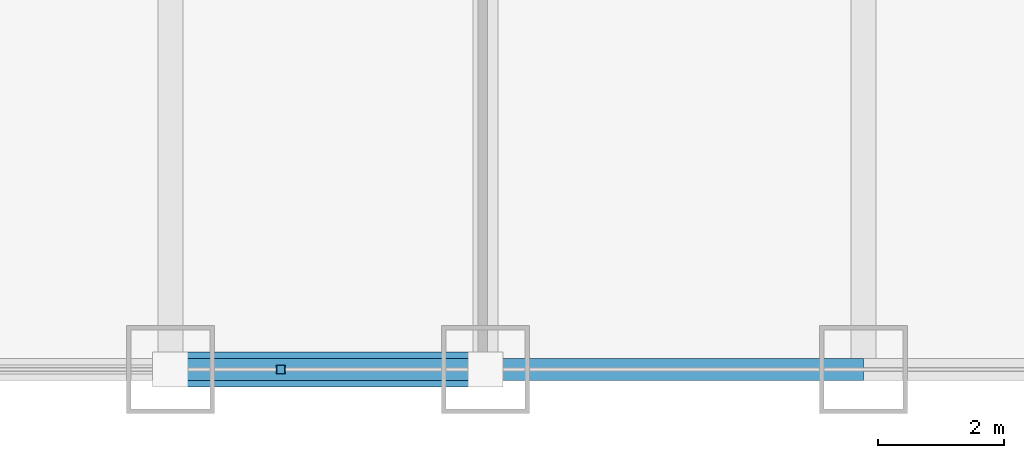
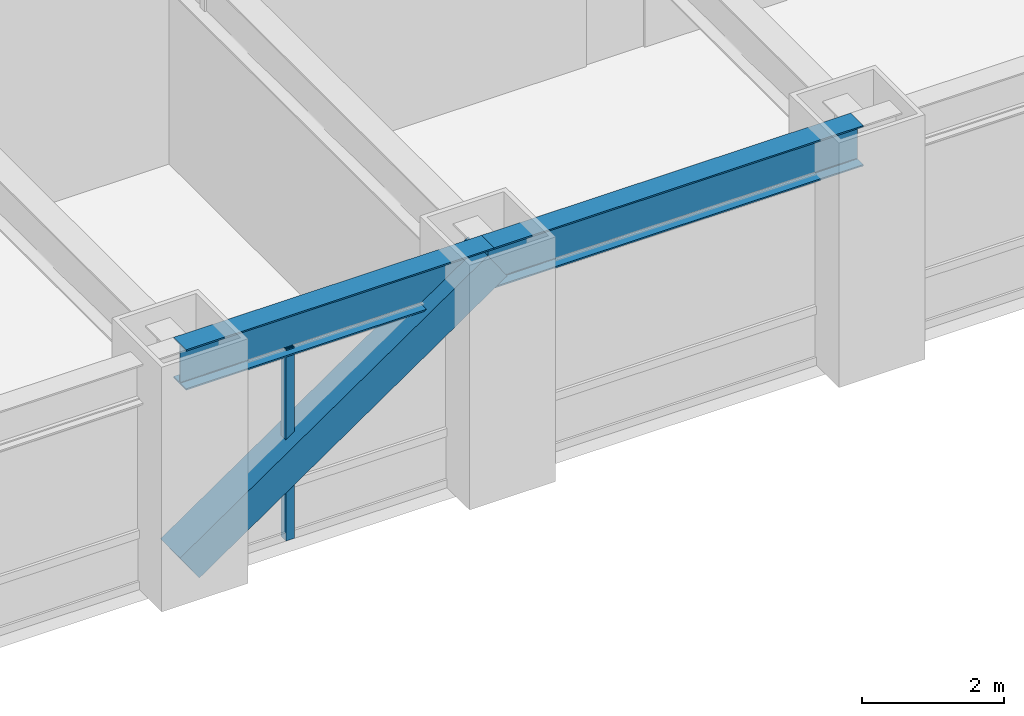
# One storey, part 4 of 28: 2 beams, 2 members, 1 element without a shape of its own.
"""IFC4 building model written with IfcOpenShell, lengths in metres."""

from ifc_helpers import new_model, si_unit, direction, frame, origin, origin_2d, place, context, subcontext, project, spatial, hollow_rectangle, i_section, extrude, source, transform, mapped, material, material_profile, profile_set, type_object, element, aggregate, save


model = new_model("IFC4")

# Units and contexts
model_context = context("Model", 3, precision=1e-05, world=origin(), true_north=direction((0.0, 1.0)))
body_context = subcontext(model_context, "Body", "Model", "MODEL_VIEW")
ifc_project = project(units=[si_unit("LENGTHUNIT", "METRE"), si_unit("AREAUNIT", "SQUARE_METRE"), si_unit("VOLUMEUNIT", "CUBIC_METRE"), si_unit("PLANEANGLEUNIT", "RADIAN"), si_unit("MASSUNIT", "GRAM", prefix="KILO")], contexts=[model_context])

# Site, building, storey
site_placement = place(None, origin())
site = spatial("IfcSite", under=ifc_project, at=site_placement, CompositionType="ELEMENT")
building_placement = place(site_placement, origin())
building = spatial("IfcBuilding", under=site, at=building_placement, Name="Khorayat Bourse Tower", CompositionType="ELEMENT")
storey_placement = place(building_placement, frame((0.0, 0.0, 57.800048828125)))
storey = spatial("IfcBuildingStorey", under=building, at=storey_placement, Name="L12", CompositionType="ELEMENT", Elevation=57.800048828125)

# Beams
ifc_material_1 = material(Name="Steel ASTM A992 Grade 50", Category="steel")
ifc_material_profile_1 = material_profile(ifc_material_1, i_section(OverallWidth=0.35498046875, OverallDepth=0.695068359375, WebThickness=0.015380859375, FlangeThickness=0.02490234375, FilletRadius=0.01806640625, at=origin_2d()), Name="W690X217")
ifc_profile_set_1 = profile_set([ifc_material_profile_1], Name="Steel ASTM A992 Grade 50")
beam_type = type_object("IfcBeamType", Name="BM-SPAN-690", PredefinedType="SPANDREL", material=ifc_profile_set_1)
shared_shape_1 = source(origin(), body_context, "Body", "SweptSolid", [
    extrude(i_section(OverallWidth=0.35498046875, OverallDepth=0.695068359375, WebThickness=0.015380859375, FlangeThickness=0.02490234375, FilletRadius=0.01806640625, at=origin_2d()), origin(), (0.0, 0.0, 1.0), 5.0),
])
beam_1_placement = place(storey_placement, frame((-11.0, -32.0, 3.592529296875), z_axis=(1.0, 0.0, 0.0), x_axis=(0.0, 1.0, 0.0)))
element("IfcBeam", 1, at=beam_1_placement, inside=storey, type_object=beam_type, Name="L12 BM-SPAN-690 BM-L12-SPN-026", PredefinedType="SPANDREL", context=body_context, shape_type="MappedRepresentation", body=[
    mapped(shared_shape_1, transform((0.0, 0.0, 0.0), scale=1.0)),
])
shared_shape_2 = source(origin(), body_context, "Body", "SweptSolid", [
    extrude(i_section(OverallWidth=0.35498046875, OverallDepth=0.695068359375, WebThickness=0.015380859375, FlangeThickness=0.02490234375, FilletRadius=0.01806640625, at=origin_2d()), origin(), (0.0, 0.0, 1.0), 6.0),
])
beam_2_placement = place(storey_placement, frame((-6.0, -32.0, 3.592529296875), z_axis=(1.0, 0.0, 0.0), x_axis=(0.0, 1.0, 0.0)))
element("IfcBeam", 2, at=beam_2_placement, inside=storey, type_object=beam_type, Name="L12 BM-SPAN-690 BM-L12-SPN-027", PredefinedType="SPANDREL", context=body_context, shape_type="MappedRepresentation", body=[
    mapped(shared_shape_2, transform((0.0, 0.0, 0.0), scale=1.0)),
])

# Member
ifc_material_2 = material(Name="Steel EN 10025-4 S460M", Category="steel")
ifc_material_profile_2 = material_profile(ifc_material_2, hollow_rectangle(XDim=0.550048828125, YDim=0.550048828125, WallThickness=0.031982421875, at=origin_2d()), Name="HSS 550x550x32")
ifc_profile_set_2 = profile_set([ifc_material_profile_2], Name="Steel EN 10025-4 S460M")
member_type_1 = type_object("IfcMemberType", Name="MBR-TUBE-550", PredefinedType="BRACE", material=ifc_profile_set_2)
shared_shape_3 = source(origin(), body_context, "Body", "SweptSolid", [
    extrude(hollow_rectangle(XDim=0.550048828125, YDim=0.550048828125, WallThickness=0.031982421875, at=origin_2d()), origin(), (0.0, 0.0, 1.0), 6.069091796875),
])
member_1_placement = place(storey_placement, frame((-11.0, -32.0, 0.25), z_axis=(0.823854080622, 0.0, 0.566801952928), x_axis=(0.0, 1.0, 0.0)))
element("IfcMember", 3, at=member_1_placement, inside=storey, type_object=member_type_1, Name="L12 Perimeter Tube Brace 01", PredefinedType="BRACE", context=body_context, shape_type="MappedRepresentation", body=[
    mapped(shared_shape_3, transform((0.0, 0.0, 0.0), scale=1.0)),
])

# Curtain wall, member
ifc_material_3 = material(Name="Aluminium EN AW-6063 T6", Category="aluminium")
curtain_wall_type = type_object("IfcCurtainWallType", Name="CW-SYS-02", PredefinedType="NOTDEFINED", material=ifc_material_3)
curtain_wall_placement = place(storey_placement, origin())
curtain_wall = element("IfcCurtainWall", 4, at=curtain_wall_placement, inside=storey, type_object=curtain_wall_type, Name="L12 Curtain Wall CW-L12-S1", PredefinedType="NOTDEFINED")
ifc_material_profile_3 = material_profile(ifc_material_3, hollow_rectangle(XDim=0.139892578125, YDim=0.139892578125, WallThickness=0.006103515625, at=origin_2d()), Name="ALU 140x140x6")
ifc_profile_set_3 = profile_set([ifc_material_profile_3], Name="Aluminium EN AW-6063 T6")
member_type_2 = type_object("IfcMemberType", Name="CWM-VERT-140", PredefinedType="MULLION", material=ifc_profile_set_3)
shared_shape_4 = source(origin(), body_context, "Body", "SweptSolid", [
    extrude(hollow_rectangle(XDim=0.139892578125, YDim=0.139892578125, WallThickness=0.006103515625, at=origin_2d()), origin(), (0.0, 0.0, 1.0), 3.2900390625),
])
member_2_placement = place(storey_placement, frame((-9.25, -32.0, 0.0), z_axis=(0.0, 0.0, 1.0), x_axis=(0.0, 1.0, 0.0)))
member_2 = element("IfcMember", 5, at=member_2_placement, type_object=member_type_2, Name="CW-L12-S1 Vertical Mullion 2", PredefinedType="MULLION", context=body_context, shape_type="MappedRepresentation", body=[
    mapped(shared_shape_4, transform((0.0, 0.0, 0.0), scale=1.0)),
])
aggregate(curtain_wall, [member_2])

save(model, "model.ifc")
